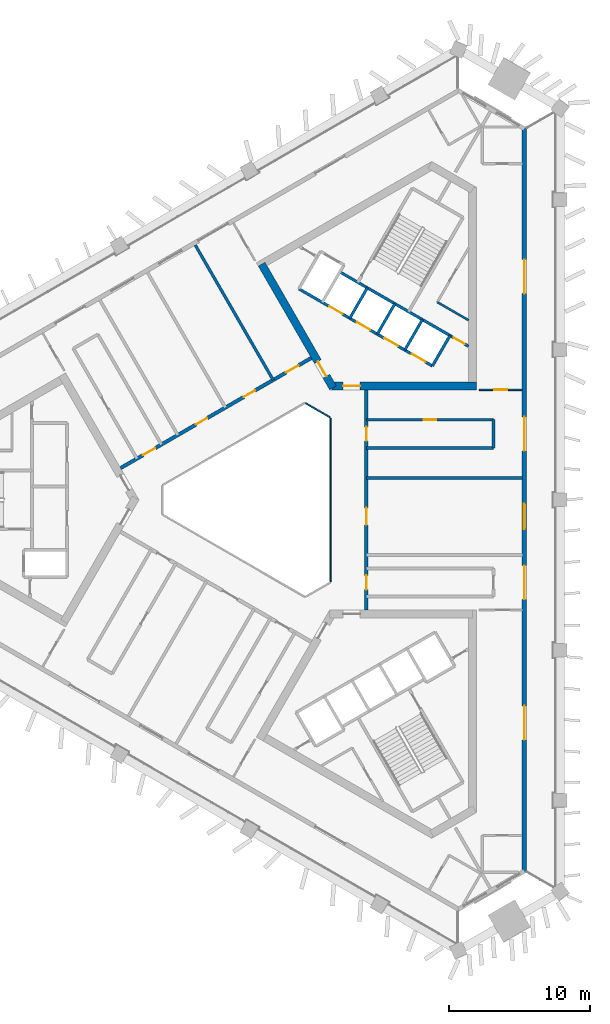
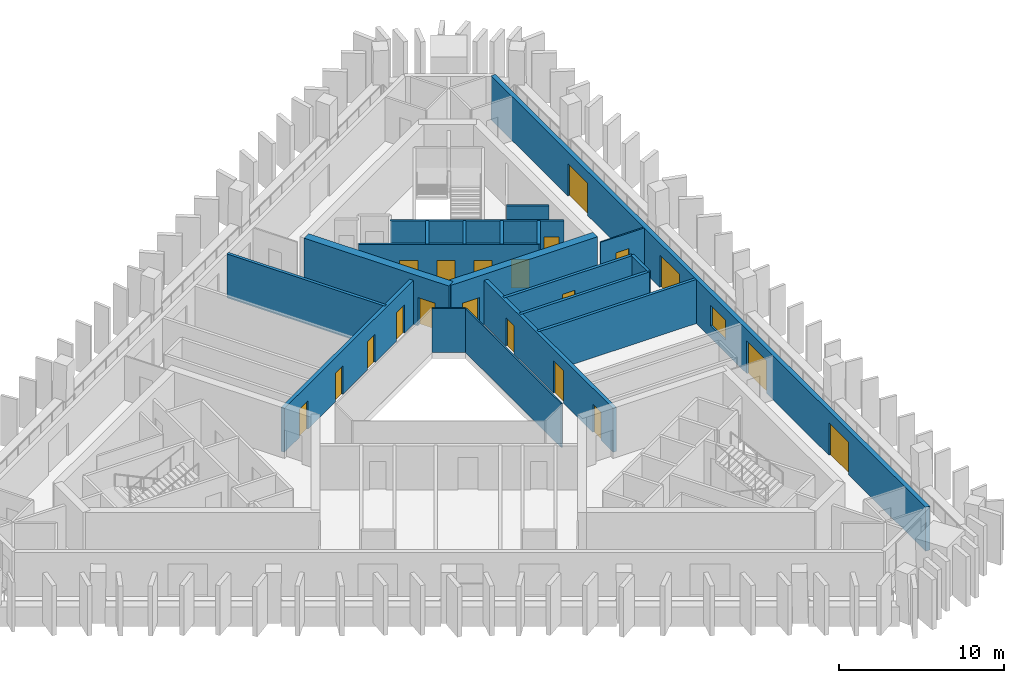
# One storey, part 5 of 9: 20 doors, 20 walls, 1 window, 21 openings.
"""IFC4 building model written with IfcOpenShell, lengths in metres."""

from ifc_helpers import new_model, si_unit, direction, frame, frame_2d, origin, place, context, subcontext, project, spatial, rectangle, extrude, material, layer, layer_set, type_object, element, fill, save


model = new_model("IFC4")

# Units and contexts
model_context = context("Model", 3, precision=1e-05, world=origin(), true_north=direction((0.0, 1.0)))
body_context = subcontext(model_context, "Body", "Model", "MODEL_VIEW")
ifc_project = project(units=[si_unit("LENGTHUNIT", "METRE"), si_unit("AREAUNIT", "SQUARE_METRE"), si_unit("VOLUMEUNIT", "CUBIC_METRE"), si_unit("PLANEANGLEUNIT", "RADIAN"), si_unit("MASSUNIT", "GRAM", prefix="KILO")], contexts=[model_context])

# Site, building, storey
site_placement = place(None, origin())
site = spatial("IfcSite", under=ifc_project, at=site_placement, CompositionType="ELEMENT")
building_placement = place(site_placement, origin())
building = spatial("IfcBuilding", under=site, at=building_placement, Name="Jabali Bay Hotel Tower and Convention Centre", CompositionType="ELEMENT")
storey_placement = place(building_placement, frame((0.0, 0.0, 189.60009765625)))
storey = spatial("IfcBuildingStorey", under=building, at=storey_placement, Name="L46", CompositionType="ELEMENT", Elevation=189.60009765625)

# Walls
ifc_material_1 = material(Name="Fire-resistant glazing", Category="glass")
ifc_layer_1 = layer(ifc_material_1, 0.10009765625)
ifc_layer_set_1 = layer_set([ifc_layer_1], Name="Fire-resistant glazing")
wall_type_1 = type_object("IfcWallType", Name="Atrium glazed screen 100", PredefinedType="PARTITIONING", material=ifc_layer_set_1)
wall_1_placement = place(storey_placement, frame((79.56005859375, 74.205810546875, 0.0), z_axis=(0.0, 0.0, 1.0), x_axis=(0.0, 1.0, 0.0)))
element("IfcWall", 1, at=wall_1_placement, inside=storey, type_object=wall_type_1, Name="Atrium screen 1 L46", PredefinedType="PARTITIONING", context=body_context, shape_type="SweptSolid", body=[
    extrude(rectangle(XDim=11.58837890625, YDim=0.10009765625, at=frame_2d((5.794189453125, 0.0))), origin(), (0.0, 0.0, 1.0), 3.25),
])
wall_2_placement = place(storey_placement, frame((79.530029296875, 85.84619140625, 0.0), z_axis=(0.0, 0.0, 1.0), x_axis=(-0.866041268327, 0.499972520799, 0.0)))
element("IfcWall", 2, at=wall_2_placement, inside=storey, type_object=wall_type_1, Name="Atrium screen 2 L46", PredefinedType="PARTITIONING", context=body_context, shape_type="SweptSolid", body=[
    extrude(rectangle(XDim=2.0, YDim=0.10009765625, at=frame_2d((1.0, 0.0))), origin(), (0.0, 0.0, 1.0), 3.25),
])
ifc_material_2 = material(Name="Fire-rated board partition")
ifc_layer_2 = layer(ifc_material_2, 0.14990234375)
ifc_layer_set_2 = layer_set([ifc_layer_2], Name="Fire-rated board partition")
wall_type_2 = type_object("IfcWallType", Name="Core room partition 150", PredefinedType="PARTITIONING", material=ifc_layer_set_2)
wall_3_placement = place(storey_placement, frame((89.330078125, 92.718994140625, 0.0), z_axis=(0.0, 0.0, 1.0), x_axis=(-0.866019818373, 0.500009674092, 0.0)))
element("IfcWall", 3, at=wall_3_placement, inside=storey, type_object=wall_type_2, Name="Core wall 1.14 L46", PredefinedType="PARTITIONING", context=body_context, shape_type="SweptSolid", body=[
    extrude(rectangle(XDim=2.55078125, YDim=0.14990234375, at=frame_2d((1.275390625, 0.0))), origin(), (0.0, 0.0, 1.0), 3.25),
])
ifc_material_3 = material(Name="Concrete C40", Category="concrete")
ifc_layer_3 = layer(ifc_material_3, 0.199951171875)
ifc_layer_set_3 = layer_set([ifc_layer_3], Name="Concrete C40")
wall_type_3 = type_object("IfcWallType", Name="Core stair wall 200", PredefinedType="SOLIDWALL", material=ifc_layer_set_3)
for number, where, z_axis, x_axis, name in (
    (4, (86.769775390625, 89.48583984375, 0.0), (0.0, 0.0, 1.0), (0.499961042966, 0.86604789447, 0.0), "Core wall 1.0 L46"),
    (5, (84.8212890625, 90.61083984375, 0.0), (0.0, 0.0, 1.0), (0.499961042966, 0.86604789447, 0.0), "Core wall 1.2 L46"),
    (6, (82.872802734375, 91.73583984375, 0.0), (0.0, 0.0, 1.0), (0.499961042966, 0.86604789447, 0.0), "Core wall 1.4 L46"),
    (7, (80.924072265625, 92.86083984375, 0.0), (0.0, 0.0, 1.0), (0.499961042966, 0.86604789447, 0.0), "Core wall 1.6 L46"),
):
    element("IfcWall", number, at=place(storey_placement, frame(where, z_axis=z_axis, x_axis=x_axis)), inside=storey, type_object=wall_type_3, Name=name, PredefinedType="SOLIDWALL", context=body_context, shape_type="SweptSolid", body=[
        extrude(rectangle(XDim=2.480224609375, YDim=0.199951171875, at=frame_2d((1.240234375, 0.0))), origin(), (0.0, 0.0, 1.0), 3.25),
    ])

# Wall, openings, doors
wall_4_placement = place(storey_placement, frame((86.769775390625, 89.48583984375, 0.0), z_axis=(0.0, 0.0, 1.0), x_axis=(-0.86601811187, 0.500012629753, 0.0)))
wall_4 = element("IfcWall", 8, at=wall_4_placement, inside=storey, type_object=wall_type_3, Name="Core wall 1.10 L46", PredefinedType="SOLIDWALL", context=body_context, shape_type="SweptSolid", body=[
    extrude(rectangle(XDim=10.900146484375, YDim=0.199951171875, at=frame_2d((5.4501953125, 0.0))), origin(), (0.0, 0.0, 1.0), 3.25),
])
opening_1_placement = place(wall_4_placement, frame((0.574951171875, 0.0, 0.0)))
opening_1 = element("IfcOpeningElement", 9, at=opening_1_placement, cuts=wall_4, Name="Opening LD6-L46", PredefinedType="OPENING", context=body_context, shape_type="SweptSolid", body=[
    extrude(rectangle(XDim=1.10009765625, YDim=2.10009765625, at=frame_2d((0.550048828125, 1.050048828125))), frame((0.0, 0.1103515625, 0.0), z_axis=(0.0, -1.0, 0.0), x_axis=(1.0, 0.0, 0.0)), (0.0, 0.0, 1.0), 0.220947265625),
])
opening_2_placement = place(wall_4_placement, frame((2.824951171875, 0.0, 0.0)))
opening_2 = element("IfcOpeningElement", 10, at=opening_2_placement, cuts=wall_4, Name="Opening LD7-L46", PredefinedType="OPENING", context=body_context, shape_type="SweptSolid", body=[
    extrude(rectangle(XDim=1.10009765625, YDim=2.10009765625, at=frame_2d((0.550048828125, 1.050048828125))), frame((0.0, 0.1103515625, 0.0), z_axis=(0.0, -1.0, 0.0), x_axis=(1.0, 0.0, 0.0)), (0.0, 0.0, 1.0), 0.220947265625),
])
opening_3_placement = place(wall_4_placement, frame((5.074951171875, 0.0, 0.0)))
opening_3 = element("IfcOpeningElement", 11, at=opening_3_placement, cuts=wall_4, Name="Opening LD8-L46", PredefinedType="OPENING", context=body_context, shape_type="SweptSolid", body=[
    extrude(rectangle(XDim=1.10009765625, YDim=2.10009765625, at=frame_2d((0.550048828125, 1.050048828125))), frame((0.0, 0.1103515625, 0.0), z_axis=(0.0, -1.0, 0.0), x_axis=(1.0, 0.0, 0.0)), (0.0, 0.0, 1.0), 0.220947265625),
])
opening_4_placement = place(wall_4_placement, frame((7.324951171875, 0.0, 0.0)))
opening_4 = element("IfcOpeningElement", 12, at=opening_4_placement, cuts=wall_4, Name="Opening LD9-L46", PredefinedType="OPENING", context=body_context, shape_type="SweptSolid", body=[
    extrude(rectangle(XDim=1.10009765625, YDim=2.10009765625, at=frame_2d((0.550048828125, 1.050048828125))), frame((0.0, 0.1103515625, 0.0), z_axis=(0.0, -1.0, 0.0), x_axis=(1.0, 0.0, 0.0)), (0.0, 0.0, 1.0), 0.220947265625),
])
ifc_material_4 = material(Name="Stainless steel landing door", Category="steel")
door_type_1 = type_object("IfcDoorType", Name="Landing door 1100 x 2100", OperationType="NOTDEFINED", PredefinedType="NOTDEFINED", material=ifc_material_4)
door_1_placement = place(opening_1_placement, origin())
door_1 = element("IfcDoor", 13, at=door_1_placement, inside=storey, type_object=door_type_1, Name="Landing doors LD6-L46", OperationType="SLIDING_TO_RIGHT", OverallHeight=2.10009765625, OverallWidth=1.10009765625, PredefinedType="NOTDEFINED", context=body_context, shape_type="SweptSolid", body=[
    extrude(rectangle(XDim=1.10009765625, YDim=2.10009765625, at=frame_2d((0.550048828125, 1.050048828125))), frame((0.0, 0.02490234375, 0.0), z_axis=(0.0, -1.0, 0.0), x_axis=(1.0, 0.0, 0.0)), (0.0, 0.0, 1.0), 0.050048828125),
])
fill(opening_1, door_1)
door_2_placement = place(opening_2_placement, origin())
door_2 = element("IfcDoor", 14, at=door_2_placement, inside=storey, type_object=door_type_1, Name="Landing doors LD7-L46", OperationType="SLIDING_TO_LEFT", OverallHeight=2.10009765625, OverallWidth=1.10009765625, PredefinedType="NOTDEFINED", context=body_context, shape_type="SweptSolid", body=[
    extrude(rectangle(XDim=1.10009765625, YDim=2.10009765625, at=frame_2d((0.550048828125, 1.050048828125))), frame((0.0, 0.02490234375, 0.0), z_axis=(0.0, -1.0, 0.0), x_axis=(1.0, 0.0, 0.0)), (0.0, 0.0, 1.0), 0.050048828125),
])
fill(opening_2, door_2)
door_3_placement = place(opening_3_placement, origin())
door_3 = element("IfcDoor", 15, at=door_3_placement, inside=storey, type_object=door_type_1, Name="Landing doors LD8-L46", OperationType="SLIDING_TO_RIGHT", OverallHeight=2.10009765625, OverallWidth=1.10009765625, PredefinedType="NOTDEFINED", context=body_context, shape_type="SweptSolid", body=[
    extrude(rectangle(XDim=1.10009765625, YDim=2.10009765625, at=frame_2d((0.550048828125, 1.050048828125))), frame((0.0, 0.02490234375, 0.0), z_axis=(0.0, -1.0, 0.0), x_axis=(1.0, 0.0, 0.0)), (0.0, 0.0, 1.0), 0.050048828125),
])
fill(opening_3, door_3)
door_4_placement = place(opening_4_placement, origin())
door_4 = element("IfcDoor", 16, at=door_4_placement, inside=storey, type_object=door_type_1, Name="Landing doors LD9-L46", OperationType="SLIDING_TO_LEFT", OverallHeight=2.10009765625, OverallWidth=1.10009765625, PredefinedType="NOTDEFINED", context=body_context, shape_type="SweptSolid", body=[
    extrude(rectangle(XDim=1.10009765625, YDim=2.10009765625, at=frame_2d((0.550048828125, 1.050048828125))), frame((0.0, 0.02490234375, 0.0), z_axis=(0.0, -1.0, 0.0), x_axis=(1.0, 0.0, 0.0)), (0.0, 0.0, 1.0), 0.050048828125),
])
fill(opening_4, door_4)

# Wall, opening, door
wall_5_placement = place(storey_placement, frame((89.330078125, 90.87158203125, 0.0), z_axis=(0.0, 0.0, 1.0), x_axis=(-0.866027589512, 0.49999621419, 0.0)))
wall_5 = element("IfcWall", 17, at=wall_5_placement, inside=storey, type_object=wall_type_3, Name="Core wall 1.11 L46", PredefinedType="SOLIDWALL", context=body_context, shape_type="SweptSolid", body=[
    extrude(rectangle(XDim=10.5244140625, YDim=0.199951171875, at=frame_2d((5.26220703125, 0.0))), origin(), (0.0, 0.0, 1.0), 3.25),
])
opening_5_placement = place(wall_5_placement, frame((0.312255859375, 0.0, 0.0)))
opening_5 = element("IfcOpeningElement", 18, at=opening_5_placement, cuts=wall_5, Name="Opening D999", PredefinedType="OPENING", context=body_context, shape_type="SweptSolid", body=[
    extrude(rectangle(XDim=0.89990234375, YDim=2.10009765625, at=frame_2d((0.449951171875, 1.050048828125))), frame((0.0, 0.1103515625, 0.0), z_axis=(0.0, -1.0, 0.0), x_axis=(1.0, 0.0, 0.0)), (0.0, 0.0, 1.0), 0.220947265625),
])
ifc_material_5 = material(Name="Fire-rated steel door", Category="steel")
door_type_2 = type_object("IfcDoorType", Name="Vestibule fire door 900 x 2100", OperationType="NOTDEFINED", PredefinedType="NOTDEFINED", material=ifc_material_5)
door_5_placement = place(opening_5_placement, origin())
door_5 = element("IfcDoor", 19, at=door_5_placement, inside=storey, type_object=door_type_2, Name="Vestibule fire door D999", OperationType="SINGLE_SWING_LEFT", OverallHeight=2.10009765625, OverallWidth=0.89990234375, PredefinedType="NOTDEFINED", context=body_context, shape_type="SweptSolid", body=[
    extrude(rectangle(XDim=0.89990234375, YDim=2.10009765625, at=frame_2d((0.449951171875, 1.050048828125))), frame((0.0, 0.02490234375, 0.0), z_axis=(0.0, -1.0, 0.0), x_axis=(1.0, 0.0, 0.0)), (0.0, 0.0, 1.0), 0.050048828125),
])
fill(opening_5, door_5)

ifc_material_6 = material(Name="Concrete C60", Category="concrete")
ifc_layer_4 = layer(ifc_material_6, 0.550048828125)
ifc_layer_set_4 = layer_set([ifc_layer_4], Name="Concrete C60")
wall_type_4 = type_object("IfcWallType", Name="Core wall 550", PredefinedType="SHEAR", material=ifc_layer_set_4)
wall_6_placement = place(storey_placement, frame((79.65869140625, 88.0693359375, 0.0), z_axis=(0.0, 0.0, 1.0), x_axis=(1.0, 0.0, 0.0)))
wall_6 = element("IfcWall", 20, at=wall_6_placement, inside=storey, type_object=wall_type_4, Name="Core wall 2.1 L46", PredefinedType="SHEAR", context=body_context, shape_type="SweptSolid", body=[
    extrude(rectangle(XDim=10.22119140625, YDim=0.550048828125, at=frame_2d((5.110595703125, 0.0))), origin(), (0.0, 0.0, 1.0), 3.699951171875),
])
opening_6_placement = place(wall_6_placement, frame((0.791259765625, 0.0, 0.0)))
opening_6 = element("IfcOpeningElement", 21, at=opening_6_placement, cuts=wall_6, Name="Opening D996", PredefinedType="OPENING", context=body_context, shape_type="SweptSolid", body=[
    extrude(rectangle(XDim=1.199951171875, YDim=2.10009765625, at=frame_2d((0.60009765625, 1.050048828125))), frame((0.0, 0.28564453125, 0.0), z_axis=(0.0, -1.0, 0.0), x_axis=(1.0, 0.0, 0.0)), (0.0, 0.0, 1.0), 0.571044921875),
])
door_type_3 = type_object("IfcDoorType", Name="Corridor end fire door 1200 x 2100", OperationType="NOTDEFINED", PredefinedType="NOTDEFINED", material=ifc_material_5)
door_6_placement = place(opening_6_placement, origin())
door_6 = element("IfcDoor", 22, at=door_6_placement, inside=storey, type_object=door_type_3, Name="Corridor end fire door D996", OperationType="SINGLE_SWING_RIGHT", OverallHeight=2.10009765625, OverallWidth=1.199951171875, PredefinedType="NOTDEFINED", context=body_context, shape_type="SweptSolid", body=[
    extrude(rectangle(XDim=1.199951171875, YDim=2.10009765625, at=frame_2d((0.60009765625, 1.050048828125))), frame((0.0, 0.02490234375, 0.0), z_axis=(0.0, -1.0, 0.0), x_axis=(1.0, 0.0, 0.0)), (0.0, 0.0, 1.0), 0.050048828125),
])
fill(opening_6, door_6)

wall_7_placement = place(storey_placement, frame((74.685546875, 96.682861328125, 0.0), z_axis=(0.0, 0.0, 1.0), x_axis=(0.499997818338, -0.866026663364, 0.0)))
wall_7 = element("IfcWall", 23, at=wall_7_placement, inside=storey, type_object=wall_type_4, Name="Core wall 2.5 L46", PredefinedType="SHEAR", context=body_context, shape_type="SweptSolid", body=[
    extrude(rectangle(XDim=10.10498046875, YDim=0.550048828125, at=frame_2d((5.052490234375, 0.0))), origin(), (0.0, 0.0, 1.0), 3.699951171875),
])
opening_7_placement = place(wall_7_placement, frame((7.955078125, 0.0, 0.0)))
opening_7 = element("IfcOpeningElement", 24, at=opening_7_placement, cuts=wall_7, Name="Opening D997", PredefinedType="OPENING", context=body_context, shape_type="SweptSolid", body=[
    extrude(rectangle(XDim=1.199951171875, YDim=2.10009765625, at=frame_2d((0.60009765625, 1.050048828125))), frame((0.0, 0.28564453125, 0.0), z_axis=(0.0, -1.0, 0.0), x_axis=(1.0, 0.0, 0.0)), (0.0, 0.0, 1.0), 0.571044921875),
])
door_7_placement = place(opening_7_placement, origin())
door_7 = element("IfcDoor", 25, at=door_7_placement, inside=storey, type_object=door_type_3, Name="Corridor end fire door D997", OperationType="SINGLE_SWING_LEFT", OverallHeight=2.10009765625, OverallWidth=1.199951171875, PredefinedType="NOTDEFINED", context=body_context, shape_type="SweptSolid", body=[
    extrude(rectangle(XDim=1.199951171875, YDim=2.10009765625, at=frame_2d((0.60009765625, 1.050048828125))), frame((0.0, 0.02490234375, 0.0), z_axis=(0.0, -1.0, 0.0), x_axis=(1.0, 0.0, 0.0)), (0.0, 0.0, 1.0), 0.050048828125),
])
fill(opening_7, door_7)

# Wall, openings, doors
ifc_layer_5 = layer(ifc_material_6, 0.25)
ifc_layer_set_5 = layer_set([ifc_layer_5], Name="Concrete C60")
wall_type_5 = type_object("IfcWallType", Name="Corridor wall 250", PredefinedType="SHEAR", material=ifc_layer_set_5)
wall_8_placement = place(storey_placement, frame((82.10009765625, 72.205810546875, 0.0), z_axis=(0.0, 0.0, 1.0), x_axis=(0.0, 1.0, 0.0)))
wall_8 = element("IfcWall", 26, at=wall_8_placement, inside=storey, type_object=wall_type_5, Name="Corridor wall 1 L46", PredefinedType="SHEAR", context=body_context, shape_type="SweptSolid", body=[
    extrude(rectangle(XDim=15.58837890625, YDim=0.25, at=frame_2d((7.794189453125, 0.0))), origin(), (0.0, 0.0, 1.0), 3.25),
])
opening_8_placement = place(wall_8_placement, frame((1.448486328125, 0.0, 0.0)))
opening_8 = element("IfcOpeningElement", 27, at=opening_8_placement, cuts=wall_8, Name="Opening 4601", PredefinedType="OPENING", context=body_context, shape_type="SweptSolid", body=[
    extrude(rectangle(XDim=1.0, YDim=2.10009765625, at=frame_2d((0.5, 1.050048828125))), frame((0.0, 0.135498046875, 0.0), z_axis=(0.0, -1.0, 0.0), x_axis=(1.0, 0.0, 0.0)), (0.0, 0.0, 1.0), 0.27099609375),
])
opening_9_placement = place(wall_8_placement, frame((6.025146484375, 0.0, 0.0)))
opening_9 = element("IfcOpeningElement", 28, at=opening_9_placement, cuts=wall_8, Name="Opening 4605", PredefinedType="OPENING", context=body_context, shape_type="SweptSolid", body=[
    extrude(rectangle(XDim=1.199951171875, YDim=2.39990234375, at=frame_2d((0.60009765625, 1.199951171875))), frame((0.0, 0.135498046875, 0.0), z_axis=(0.0, -1.0, 0.0), x_axis=(1.0, 0.0, 0.0)), (0.0, 0.0, 1.0), 0.27099609375),
])
opening_10_placement = place(wall_8_placement, frame((11.970703125, 0.0, 0.0)))
opening_10 = element("IfcOpeningElement", 29, at=opening_10_placement, cuts=wall_8, Name="Opening 4606", PredefinedType="OPENING", context=body_context, shape_type="SweptSolid", body=[
    extrude(rectangle(XDim=1.0, YDim=2.10009765625, at=frame_2d((0.5, 1.050048828125))), frame((0.0, 0.135498046875, 0.0), z_axis=(0.0, -1.0, 0.0), x_axis=(1.0, 0.0, 0.0)), (0.0, 0.0, 1.0), 0.27099609375),
])
ifc_material_7 = material(Name="Timber", Category="wood")
door_type_4 = type_object("IfcDoorType", Name="Guest room door 1000 x 2100", OperationType="NOTDEFINED", PredefinedType="NOTDEFINED", material=ifc_material_7)
door_8_placement = place(opening_8_placement, origin())
door_8 = element("IfcDoor", 30, at=door_8_placement, inside=storey, type_object=door_type_4, Name="Door 4601", OperationType="SINGLE_SWING_LEFT", OverallHeight=2.10009765625, OverallWidth=1.0, PredefinedType="NOTDEFINED", context=body_context, shape_type="SweptSolid", body=[
    extrude(rectangle(XDim=1.0, YDim=2.10009765625, at=frame_2d((0.5, 1.050048828125))), frame((0.0, 0.02490234375, 0.0), z_axis=(0.0, -1.0, 0.0), x_axis=(1.0, 0.0, 0.0)), (0.0, 0.0, 1.0), 0.050048828125),
])
fill(opening_8, door_8)
door_9_placement = place(opening_10_placement, origin())
door_9 = element("IfcDoor", 31, at=door_9_placement, inside=storey, type_object=door_type_4, Name="Door 4606", OperationType="SINGLE_SWING_RIGHT", OverallHeight=2.10009765625, OverallWidth=1.0, PredefinedType="NOTDEFINED", context=body_context, shape_type="SweptSolid", body=[
    extrude(rectangle(XDim=1.0, YDim=2.10009765625, at=frame_2d((0.5, 1.050048828125))), frame((0.0, 0.02490234375, 0.0), z_axis=(0.0, -1.0, 0.0), x_axis=(1.0, 0.0, 0.0)), (0.0, 0.0, 1.0), 0.050048828125),
])
fill(opening_10, door_9)
door_type_5 = type_object("IfcDoorType", Name="Public room door 1200 x 2400", OperationType="NOTDEFINED", PredefinedType="NOTDEFINED", material=ifc_material_7)
door_10_placement = place(opening_9_placement, origin())
door_10 = element("IfcDoor", 32, at=door_10_placement, inside=storey, type_object=door_type_5, Name="Door 4605", OperationType="SINGLE_SWING_LEFT", OverallHeight=2.39990234375, OverallWidth=1.199951171875, PredefinedType="NOTDEFINED", context=body_context, shape_type="SweptSolid", body=[
    extrude(rectangle(XDim=1.199951171875, YDim=2.39990234375, at=frame_2d((0.60009765625, 1.199951171875))), frame((0.0, 0.02490234375, 0.0), z_axis=(0.0, -1.0, 0.0), x_axis=(1.0, 0.0, 0.0)), (0.0, 0.0, 1.0), 0.050048828125),
])
fill(opening_9, door_10)

wall_9_placement = place(storey_placement, frame((78.199951171875, 90.0458984375, 0.0), z_axis=(0.0, 0.0, 1.0), x_axis=(-0.866026492143, -0.499998114903, 0.0)))
wall_9 = element("IfcWall", 33, at=wall_9_placement, inside=storey, type_object=wall_type_5, Name="Corridor wall 2 L46", PredefinedType="SHEAR", context=body_context, shape_type="SweptSolid", body=[
    extrude(rectangle(XDim=15.58837890625, YDim=0.25, at=frame_2d((7.794189453125, 0.0))), origin(), (0.0, 0.0, 1.0), 3.25),
])
opening_11_placement = place(wall_9_placement, frame((1.058837890625, 0.0, 0.0)))
opening_11 = element("IfcOpeningElement", 34, at=opening_11_placement, cuts=wall_9, Name="Opening 4610", PredefinedType="OPENING", context=body_context, shape_type="SweptSolid", body=[
    extrude(rectangle(XDim=1.0, YDim=2.10009765625, at=frame_2d((0.5, 1.050048828125))), frame((0.0, 0.135498046875, 0.0), z_axis=(0.0, -1.0, 0.0), x_axis=(1.0, 0.0, 0.0)), (0.0, 0.0, 1.0), 0.27099609375),
])
opening_12_placement = place(wall_9_placement, frame((4.6162109375, 0.0, 0.0)))
opening_12 = element("IfcOpeningElement", 35, at=opening_12_placement, cuts=wall_9, Name="Opening 4613", PredefinedType="OPENING", context=body_context, shape_type="SweptSolid", body=[
    extrude(rectangle(XDim=0.89990234375, YDim=2.10009765625, at=frame_2d((0.449951171875, 1.050048828125))), frame((0.0, 0.135498046875, 0.0), z_axis=(0.0, -1.0, 0.0), x_axis=(1.0, 0.0, 0.0)), (0.0, 0.0, 1.0), 0.27099609375),
])
opening_13_placement = place(wall_9_placement, frame((8.513427734375, 0.0, 0.0)))
opening_13 = element("IfcOpeningElement", 36, at=opening_13_placement, cuts=wall_9, Name="Opening 4614", PredefinedType="OPENING", context=body_context, shape_type="SweptSolid", body=[
    extrude(rectangle(XDim=0.89990234375, YDim=2.10009765625, at=frame_2d((0.449951171875, 1.050048828125))), frame((0.0, 0.135498046875, 0.0), z_axis=(0.0, -1.0, 0.0), x_axis=(1.0, 0.0, 0.0)), (0.0, 0.0, 1.0), 0.27099609375),
])
opening_14_placement = place(wall_9_placement, frame((12.750244140625, 0.0, 0.0)))
opening_14 = element("IfcOpeningElement", 37, at=opening_14_placement, cuts=wall_9, Name="Opening 4615", PredefinedType="OPENING", context=body_context, shape_type="SweptSolid", body=[
    extrude(rectangle(XDim=1.0, YDim=2.10009765625, at=frame_2d((0.5, 1.050048828125))), frame((0.0, 0.135498046875, 0.0), z_axis=(0.0, -1.0, 0.0), x_axis=(1.0, 0.0, 0.0)), (0.0, 0.0, 1.0), 0.27099609375),
])
door_11_placement = place(opening_11_placement, origin())
door_11 = element("IfcDoor", 38, at=door_11_placement, inside=storey, type_object=door_type_4, Name="Door 4610", OperationType="SINGLE_SWING_LEFT", OverallHeight=2.10009765625, OverallWidth=1.0, PredefinedType="NOTDEFINED", context=body_context, shape_type="SweptSolid", body=[
    extrude(rectangle(XDim=1.0, YDim=2.10009765625, at=frame_2d((0.5, 1.050048828125))), frame((0.0, 0.02490234375, 0.0), z_axis=(0.0, -1.0, 0.0), x_axis=(1.0, 0.0, 0.0)), (0.0, 0.0, 1.0), 0.050048828125),
])
fill(opening_11, door_11)
door_12_placement = place(opening_14_placement, origin())
door_12 = element("IfcDoor", 39, at=door_12_placement, inside=storey, type_object=door_type_4, Name="Door 4615", OperationType="SINGLE_SWING_RIGHT", OverallHeight=2.10009765625, OverallWidth=1.0, PredefinedType="NOTDEFINED", context=body_context, shape_type="SweptSolid", body=[
    extrude(rectangle(XDim=1.0, YDim=2.10009765625, at=frame_2d((0.5, 1.050048828125))), frame((0.0, 0.02490234375, 0.0), z_axis=(0.0, -1.0, 0.0), x_axis=(1.0, 0.0, 0.0)), (0.0, 0.0, 1.0), 0.050048828125),
])
fill(opening_14, door_12)
door_type_6 = type_object("IfcDoorType", Name="Internal door 900 x 2100", OperationType="NOTDEFINED", PredefinedType="NOTDEFINED", material=ifc_material_7)
door_13_placement = place(opening_12_placement, origin())
door_13 = element("IfcDoor", 40, at=door_13_placement, inside=storey, type_object=door_type_6, Name="Door 4613", OperationType="SINGLE_SWING_LEFT", OverallHeight=2.10009765625, OverallWidth=0.89990234375, PredefinedType="NOTDEFINED", context=body_context, shape_type="SweptSolid", body=[
    extrude(rectangle(XDim=0.89990234375, YDim=2.10009765625, at=frame_2d((0.449951171875, 1.050048828125))), frame((0.0, 0.02490234375, 0.0), z_axis=(0.0, -1.0, 0.0), x_axis=(1.0, 0.0, 0.0)), (0.0, 0.0, 1.0), 0.050048828125),
])
fill(opening_12, door_13)
door_14_placement = place(opening_13_placement, origin())
door_14 = element("IfcDoor", 41, at=door_14_placement, inside=storey, type_object=door_type_6, Name="Door 4614", OperationType="SINGLE_SWING_RIGHT", OverallHeight=2.10009765625, OverallWidth=0.89990234375, PredefinedType="NOTDEFINED", context=body_context, shape_type="SweptSolid", body=[
    extrude(rectangle(XDim=0.89990234375, YDim=2.10009765625, at=frame_2d((0.449951171875, 1.050048828125))), frame((0.0, 0.02490234375, 0.0), z_axis=(0.0, -1.0, 0.0), x_axis=(1.0, 0.0, 0.0)), (0.0, 0.0, 1.0), 0.050048828125),
])
fill(opening_13, door_14)

# Wall, openings, doors, window
ifc_layer_6 = layer(ifc_material_3, 0.300048828125)
ifc_layer_set_6 = layer_set([ifc_layer_6], Name="Concrete C40")
wall_type_6 = type_object("IfcWallType", Name="External wall 300", PredefinedType="SOLIDWALL", material=ifc_layer_set_6)
wall_10_placement = place(storey_placement, frame((93.27783203125, 106.28076171875, 0.0), z_axis=(0.0, 0.0, 1.0), x_axis=(0.0, -1.0, 0.0)))
wall_10 = element("IfcWall", 42, at=wall_10_placement, inside=storey, type_object=wall_type_6, Name="External wall east face L46", PredefinedType="SOLIDWALL", context=body_context, shape_type="SweptSolid", body=[
    extrude(rectangle(XDim=52.5615234375, YDim=0.300048828125, at=frame_2d((26.28076171875, 0.0))), origin(), (0.0, 0.0, 1.0), 3.25),
])
opening_15_placement = place(wall_10_placement, frame((30.92626953125, 0.0, 0.0)))
opening_15 = element("IfcOpeningElement", 43, at=opening_15_placement, cuts=wall_10, Name="Opening SD1", PredefinedType="OPENING", context=body_context, shape_type="SweptSolid", body=[
    extrude(rectangle(XDim=2.39990234375, YDim=2.39990234375, at=frame_2d((1.199951171875, 1.199951171875))), frame((0.0, 0.16064453125, 0.0), z_axis=(0.0, -1.0, 0.0), x_axis=(1.0, 0.0, 0.0)), (0.0, 0.0, 1.0), 0.321044921875),
])
opening_16_placement = place(wall_10_placement, frame((40.8642578125, 0.0, 0.0)))
opening_16 = element("IfcOpeningElement", 44, at=opening_16_placement, cuts=wall_10, Name="Opening SD1", PredefinedType="OPENING", context=body_context, shape_type="SweptSolid", body=[
    extrude(rectangle(XDim=2.39990234375, YDim=2.39990234375, at=frame_2d((1.199951171875, 1.199951171875))), frame((0.0, 0.16064453125, 0.0), z_axis=(0.0, -1.0, 0.0), x_axis=(1.0, 0.0, 0.0)), (0.0, 0.0, 1.0), 0.321044921875),
])
opening_17_placement = place(wall_10_placement, frame((20.404296875, 0.0, 0.0)))
opening_17 = element("IfcOpeningElement", 45, at=opening_17_placement, cuts=wall_10, Name="Opening SD1", PredefinedType="OPENING", context=body_context, shape_type="SweptSolid", body=[
    extrude(rectangle(XDim=2.39990234375, YDim=2.39990234375, at=frame_2d((1.199951171875, 1.199951171875))), frame((0.0, 0.16064453125, 0.0), z_axis=(0.0, -1.0, 0.0), x_axis=(1.0, 0.0, 0.0)), (0.0, 0.0, 1.0), 0.321044921875),
])
opening_18_placement = place(wall_10_placement, frame((9.277587890625, 0.0, 0.0)))
opening_18 = element("IfcOpeningElement", 46, at=opening_18_placement, cuts=wall_10, Name="Opening SD1", PredefinedType="OPENING", context=body_context, shape_type="SweptSolid", body=[
    extrude(rectangle(XDim=2.39990234375, YDim=2.39990234375, at=frame_2d((1.199951171875, 1.199951171875))), frame((0.0, 0.16064453125, 0.0), z_axis=(0.0, -1.0, 0.0), x_axis=(1.0, 0.0, 0.0)), (0.0, 0.0, 1.0), 0.321044921875),
])
opening_19_placement = place(wall_10_placement, frame((26.5498046875, 0.0, 0.89990234375)))
opening_19 = element("IfcOpeningElement", 47, at=opening_19_placement, cuts=wall_10, Name="Opening W1", PredefinedType="OPENING", context=body_context, shape_type="SweptSolid", body=[
    extrude(rectangle(XDim=1.800048828125, YDim=1.5, at=frame_2d((0.89990234375, 0.75))), frame((0.0, 0.16064453125, 0.0), z_axis=(0.0, -1.0, 0.0), x_axis=(1.0, 0.0, 0.0)), (0.0, 0.0, 1.0), 0.321044921875),
])
ifc_material_8 = material(Name="Glass", Category="glass")
door_type_7 = type_object("IfcDoorType", Name="Loggia sliding door 2400 x 2400", OperationType="NOTDEFINED", PredefinedType="NOTDEFINED", material=ifc_material_8)
door_15_placement = place(opening_15_placement, origin())
door_15 = element("IfcDoor", 48, at=door_15_placement, inside=storey, type_object=door_type_7, Name="Loggia sliding door 4601", OperationType="SLIDING_TO_LEFT", OverallHeight=2.39990234375, OverallWidth=2.39990234375, PredefinedType="NOTDEFINED", context=body_context, shape_type="SweptSolid", body=[
    extrude(rectangle(XDim=2.39990234375, YDim=2.39990234375, at=frame_2d((1.199951171875, 1.199951171875))), frame((0.0, 0.02490234375, 0.0), z_axis=(0.0, -1.0, 0.0), x_axis=(1.0, 0.0, 0.0)), (0.0, 0.0, 1.0), 0.050048828125),
])
fill(opening_15, door_15)
door_16_placement = place(opening_16_placement, origin())
door_16 = element("IfcDoor", 49, at=door_16_placement, inside=storey, type_object=door_type_7, Name="Loggia sliding door 4601", OperationType="SLIDING_TO_RIGHT", OverallHeight=2.39990234375, OverallWidth=2.39990234375, PredefinedType="NOTDEFINED", context=body_context, shape_type="SweptSolid", body=[
    extrude(rectangle(XDim=2.39990234375, YDim=2.39990234375, at=frame_2d((1.199951171875, 1.199951171875))), frame((0.0, 0.02490234375, 0.0), z_axis=(0.0, -1.0, 0.0), x_axis=(1.0, 0.0, 0.0)), (0.0, 0.0, 1.0), 0.050048828125),
])
fill(opening_16, door_16)
door_17_placement = place(opening_17_placement, origin())
door_17 = element("IfcDoor", 50, at=door_17_placement, inside=storey, type_object=door_type_7, Name="Loggia sliding door 4603", OperationType="SLIDING_TO_LEFT", OverallHeight=2.39990234375, OverallWidth=2.39990234375, PredefinedType="NOTDEFINED", context=body_context, shape_type="SweptSolid", body=[
    extrude(rectangle(XDim=2.39990234375, YDim=2.39990234375, at=frame_2d((1.199951171875, 1.199951171875))), frame((0.0, 0.02490234375, 0.0), z_axis=(0.0, -1.0, 0.0), x_axis=(1.0, 0.0, 0.0)), (0.0, 0.0, 1.0), 0.050048828125),
])
fill(opening_17, door_17)
door_18_placement = place(opening_18_placement, origin())
door_18 = element("IfcDoor", 51, at=door_18_placement, inside=storey, type_object=door_type_7, Name="Loggia sliding door 4603", OperationType="SLIDING_TO_RIGHT", OverallHeight=2.39990234375, OverallWidth=2.39990234375, PredefinedType="NOTDEFINED", context=body_context, shape_type="SweptSolid", body=[
    extrude(rectangle(XDim=2.39990234375, YDim=2.39990234375, at=frame_2d((1.199951171875, 1.199951171875))), frame((0.0, 0.02490234375, 0.0), z_axis=(0.0, -1.0, 0.0), x_axis=(1.0, 0.0, 0.0)), (0.0, 0.0, 1.0), 0.050048828125),
])
fill(opening_18, door_18)
window_type = type_object("IfcWindowType", Name="Window 1800 x 1500", PartitioningType="SINGLE_PANEL", PredefinedType="WINDOW", material=ifc_material_8)
window_placement = place(opening_19_placement, origin())
window = element("IfcWindow", 52, at=window_placement, inside=storey, type_object=window_type, Name="Window", OverallHeight=1.5, OverallWidth=1.800048828125, PartitioningType="SINGLE_PANEL", PredefinedType="WINDOW", context=body_context, shape_type="SweptSolid", body=[
    extrude(rectangle(XDim=1.800048828125, YDim=1.5, at=frame_2d((0.89990234375, 0.75))), frame((0.0, 0.030029296875, 0.0), z_axis=(0.0, -1.0, 0.0), x_axis=(1.0, 0.0, 0.0)), (0.0, 0.0, 1.0), 0.06005859375),
])
fill(opening_19, window)

# Wall, opening, door
ifc_material_9 = material(Name="Plasterboard on steel stud", Category="steel")
ifc_layer_7 = layer(ifc_material_9, 0.10009765625)
ifc_layer_set_7 = layer_set([ifc_layer_7], Name="Plasterboard on steel stud")
wall_type_7 = type_object("IfcWallType", Name="Partition 100 unit", PredefinedType="PARTITIONING", material=ifc_layer_set_7)
wall_11_placement = place(storey_placement, frame((93.12890625, 87.794189453125, 0.0), z_axis=(0.0, 0.0, 1.0), x_axis=(-1.0, 0.0, 0.0)))
wall_11 = element("IfcWall", 53, at=wall_11_placement, inside=storey, type_object=wall_type_7, Name="Partition P02 L46 011", PredefinedType="PARTITIONING", context=body_context, shape_type="SweptSolid", body=[
    extrude(rectangle(XDim=3.0498046875, YDim=0.10009765625, at=frame_2d((1.52490234375, 0.0))), origin(), (0.0, 0.0, 1.0), 3.25),
])
opening_20_placement = place(wall_11_placement, frame((1.074951171875, 0.0, 0.0)))
opening_20 = element("IfcOpeningElement", 54, at=opening_20_placement, cuts=wall_11, Name="Opening 4607", PredefinedType="OPENING", context=body_context, shape_type="SweptSolid", body=[
    extrude(rectangle(XDim=0.89990234375, YDim=2.10009765625, at=frame_2d((0.449951171875, 1.050048828125))), frame((0.0, 0.060546875, 0.0), z_axis=(0.0, -1.0, 0.0), x_axis=(1.0, 0.0, 0.0)), (0.0, 0.0, 1.0), 0.12109375),
])
door_19_placement = place(opening_20_placement, origin())
door_19 = element("IfcDoor", 55, at=door_19_placement, inside=storey, type_object=door_type_6, Name="Door 4607", OperationType="SINGLE_SWING_RIGHT", OverallHeight=2.10009765625, OverallWidth=0.89990234375, PredefinedType="NOTDEFINED", context=body_context, shape_type="SweptSolid", body=[
    extrude(rectangle(XDim=0.89990234375, YDim=2.10009765625, at=frame_2d((0.449951171875, 1.050048828125))), frame((0.0, 0.02490234375, 0.0), z_axis=(0.0, -1.0, 0.0), x_axis=(1.0, 0.0, 0.0)), (0.0, 0.0, 1.0), 0.050048828125),
])
fill(opening_20, door_19)

# Wall
ifc_layer_8 = layer(ifc_material_9, 0.199951171875)
ifc_layer_set_8 = layer_set([ifc_layer_8], Name="Plasterboard on steel stud")
wall_type_8 = type_object("IfcWallType", Name="Partition 200 party", PredefinedType="PARTITIONING", material=ifc_layer_set_8)
wall_12_placement = place(storey_placement, frame((93.12890625, 81.558837890625, 0.0), z_axis=(0.0, 0.0, 1.0), x_axis=(-1.0, 0.0, 0.0)))
element("IfcWall", 56, at=wall_12_placement, inside=storey, type_object=wall_type_8, Name="Partition P01 L46 010", PredefinedType="PARTITIONING", context=body_context, shape_type="SweptSolid", body=[
    extrude(rectangle(XDim=11.02880859375, YDim=0.199951171875, at=frame_2d((5.514404296875, 0.0))), origin(), (0.0, 0.0, 1.0), 3.25),
])

# Wall, opening, door
wall_13_placement = place(storey_placement, frame((82.10009765625, 85.676513671875, 0.0), z_axis=(0.0, 0.0, 1.0), x_axis=(1.0, 0.0, 0.0)))
wall_13 = element("IfcWall", 57, at=wall_13_placement, inside=storey, type_object=wall_type_8, Name="Partition P01 L46 012", PredefinedType="PARTITIONING", context=body_context, shape_type="SweptSolid", body=[
    extrude(rectangle(XDim=9.0, YDim=0.199951171875, at=frame_2d((4.5, 0.0))), origin(), (0.0, 0.0, 1.0), 3.25),
])
opening_21_placement = place(wall_13_placement, frame((4.050048828125, 0.0, 0.0)))
opening_21 = element("IfcOpeningElement", 58, at=opening_21_placement, cuts=wall_13, Name="Opening 4609", PredefinedType="OPENING", context=body_context, shape_type="SweptSolid", body=[
    extrude(rectangle(XDim=0.89990234375, YDim=2.10009765625, at=frame_2d((0.449951171875, 1.050048828125))), frame((0.0, 0.1103515625, 0.0), z_axis=(0.0, -1.0, 0.0), x_axis=(1.0, 0.0, 0.0)), (0.0, 0.0, 1.0), 0.220947265625),
])
door_20_placement = place(opening_21_placement, origin())
door_20 = element("IfcDoor", 59, at=door_20_placement, inside=storey, type_object=door_type_6, Name="Door 4609", OperationType="SINGLE_SWING_RIGHT", OverallHeight=2.10009765625, OverallWidth=0.89990234375, PredefinedType="NOTDEFINED", context=body_context, shape_type="SweptSolid", body=[
    extrude(rectangle(XDim=0.89990234375, YDim=2.10009765625, at=frame_2d((0.449951171875, 1.050048828125))), frame((0.0, 0.02490234375, 0.0), z_axis=(0.0, -1.0, 0.0), x_axis=(1.0, 0.0, 0.0)), (0.0, 0.0, 1.0), 0.050048828125),
])
fill(opening_21, door_20)

# Walls
wall_14_placement = place(storey_placement, frame((91.10009765625, 85.676513671875, 0.0), z_axis=(0.0, 0.0, 1.0), x_axis=(0.0, -1.0, 0.0)))
element("IfcWall", 60, at=wall_14_placement, inside=storey, type_object=wall_type_8, Name="Partition P01 L46 013", PredefinedType="PARTITIONING", context=body_context, shape_type="SweptSolid", body=[
    extrude(rectangle(XDim=2.0, YDim=0.199951171875, at=frame_2d((1.0, 0.0))), origin(), (0.0, 0.0, 1.0), 3.25),
])
wall_15_placement = place(storey_placement, frame((91.10009765625, 83.676513671875, 0.0), z_axis=(0.0, 0.0, 1.0), x_axis=(-1.0, 0.0, 0.0)))
element("IfcWall", 61, at=wall_15_placement, inside=storey, type_object=wall_type_8, Name="Partition P01 L46 014", PredefinedType="PARTITIONING", context=body_context, shape_type="SweptSolid", body=[
    extrude(rectangle(XDim=9.0, YDim=0.199951171875, at=frame_2d((4.5, 0.0))), origin(), (0.0, 0.0, 1.0), 3.25),
])
wall_16_placement = place(storey_placement, frame((69.985595703125, 98.038330078125, 0.0), z_axis=(0.0, 0.0, 1.0), x_axis=(0.499998385726, -0.866026335784, 0.0)))
element("IfcWall", 62, at=wall_16_placement, inside=storey, type_object=wall_type_8, Name="Partition P01 L46 020", PredefinedType="PARTITIONING", context=body_context, shape_type="SweptSolid", body=[
    extrude(rectangle(XDim=11.02880859375, YDim=0.199951171875, at=frame_2d((5.514404296875, 0.0))), origin(), (0.0, 0.0, 1.0), 3.25),
])

save(model, "model.ifc")
